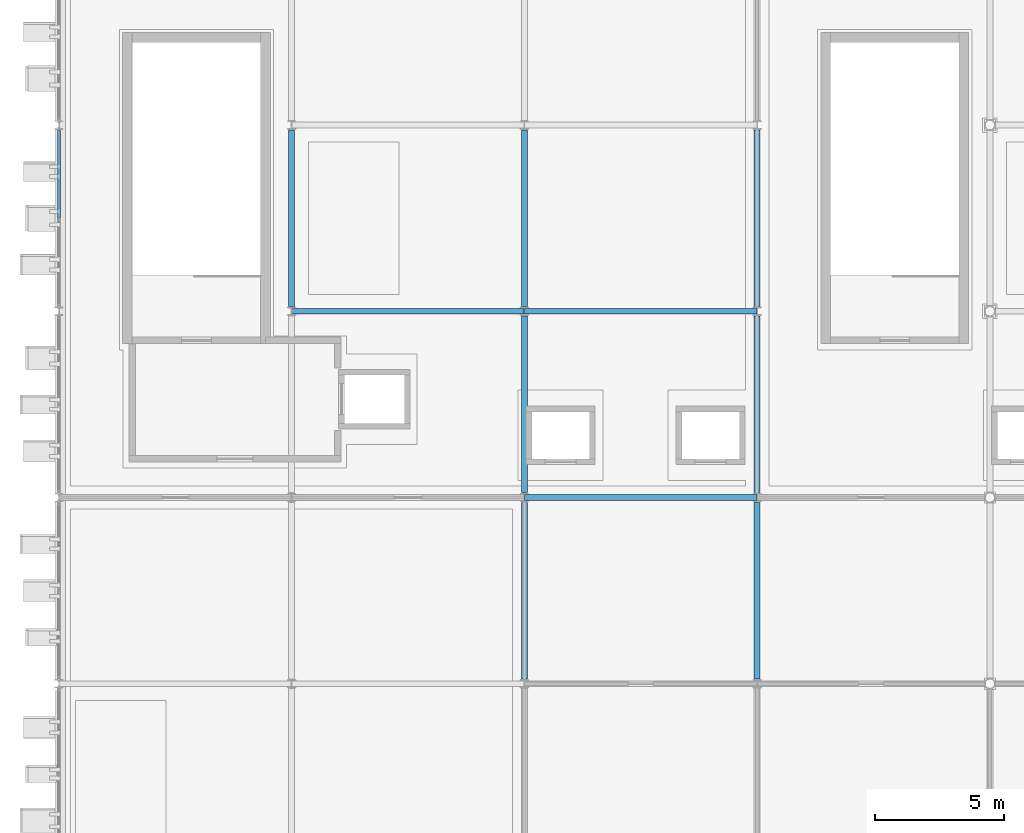
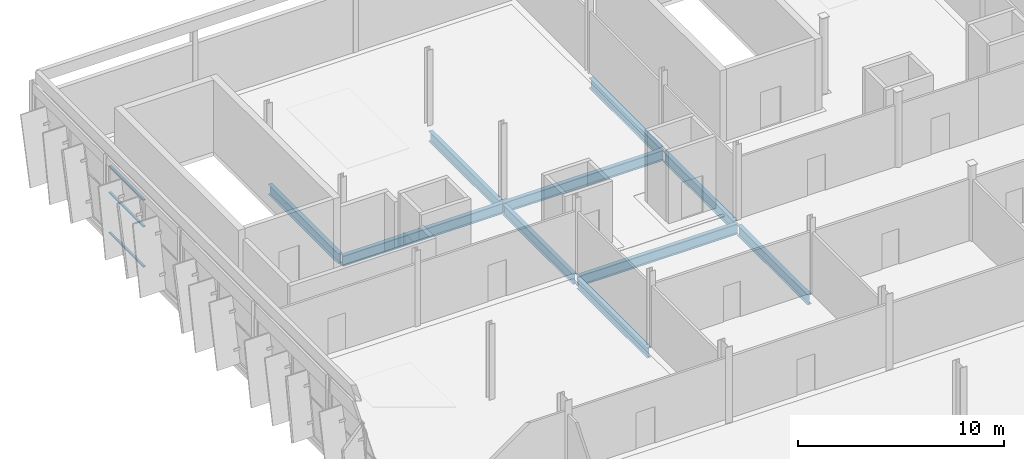
# One storey, part 25 of 52: 10 beams, 3 members, 1 element without a shape of its own.
"""IFC4 building model written with IfcOpenShell, lengths in metres."""

from ifc_helpers import new_model, si_unit, direction, frame, origin, origin_2d, place, context, subcontext, project, spatial, hollow_rectangle, i_section, extrude, material, layer, layer_set, material_profile, profile_set, type_object, element, aggregate, save


model = new_model("IFC4")

# Units and contexts
model_context = context("Model", 3, precision=1e-05, world=origin(), true_north=direction((0.0, 1.0)))
body_context = subcontext(model_context, "Body", "Model", "MODEL_VIEW")
ifc_project = project(units=[si_unit("LENGTHUNIT", "METRE"), si_unit("AREAUNIT", "SQUARE_METRE"), si_unit("VOLUMEUNIT", "CUBIC_METRE"), si_unit("PLANEANGLEUNIT", "RADIAN"), si_unit("MASSUNIT", "GRAM", prefix="KILO")], contexts=[model_context])

# Site, building, storey
site_placement = place(None, origin())
site = spatial("IfcSite", under=ifc_project, at=site_placement, CompositionType="ELEMENT")
building_placement = place(site_placement, origin())
building = spatial("IfcBuilding", under=site, at=building_placement, Name="Celestram Park Convention Centre", CompositionType="ELEMENT")
storey_placement = place(building_placement, frame((0.0, 0.0, 24.300048828125)))
storey = spatial("IfcBuildingStorey", under=building, at=storey_placement, Name="L05", CompositionType="ELEMENT", Elevation=24.300048828125)

# Curtain wall, members
ifc_material_1 = material(Name="Anodised Aluminium Alloy 6063-T6", Category="aluminium")
ifc_layer = layer(ifc_material_1, 0.179931640625)
ifc_layer_set = layer_set([ifc_layer], Name="Anodised Aluminium Alloy 6063-T6")
curtain_wall_type = type_object("IfcCurtainWallType", Name="ARC-CW-690X401", PredefinedType="NOTDEFINED", material=ifc_layer_set)
curtain_wall_placement = place(storey_placement, origin())
curtain_wall = element("IfcCurtainWall", 1, at=curtain_wall_placement, inside=storey, type_object=curtain_wall_type, Name="Unitised curtain wall CU-L05-249", PredefinedType="NOTDEFINED")
ifc_material_profile_1 = material_profile(ifc_material_1, hollow_rectangle(XDim=0.1201171875, YDim=0.06005859375, WallThickness=0.0029296875, at=origin_2d()), Name="ALU120X60X3")
ifc_profile_set_1 = profile_set([ifc_material_profile_1], Name="Anodised Aluminium Alloy 6063-T6")
member_type = type_object("IfcMemberType", Name="ARC-CWT-120", PredefinedType="USERDEFINED", material=ifc_profile_set_1)
member_1_placement = place(storey_placement, frame((36.0, 154.83251953125, 0.030029296875), z_axis=(0.0, 1.0, 0.0), x_axis=(-1.0, 0.0, 0.0)))
member_1 = element("IfcMember", 2, at=member_1_placement, type_object=member_type, Name="CW-69X40 transom 2.1", ObjectType="TRANSOM", PredefinedType="USERDEFINED", context=body_context, shape_type="SweptSolid", body=[
    extrude(hollow_rectangle(XDim=0.1201171875, YDim=0.06005859375, WallThickness=0.0029296875, at=origin_2d()), origin(), (0.0, 0.0, 1.0), 3.35107421875),
])
member_2_placement = place(storey_placement, frame((36.0, 154.83251953125, 2.406005859375), z_axis=(0.0, 1.0, 0.0), x_axis=(-1.0, 0.0, 0.0)))
member_2 = element("IfcMember", 3, at=member_2_placement, type_object=member_type, Name="CW-69X40 transom 2.2", ObjectType="TRANSOM", PredefinedType="USERDEFINED", context=body_context, shape_type="SweptSolid", body=[
    extrude(hollow_rectangle(XDim=0.1201171875, YDim=0.06005859375, WallThickness=0.0029296875, at=origin_2d()), origin(), (0.0, 0.0, 1.0), 3.35107421875),
])
member_3_placement = place(storey_placement, frame((36.0, 154.83251953125, 3.97998046875), z_axis=(0.0, 1.0, 0.0), x_axis=(-1.0, 0.0, 0.0)))
member_3 = element("IfcMember", 4, at=member_3_placement, type_object=member_type, Name="CW-69X40 transom 2.3", ObjectType="TRANSOM", PredefinedType="USERDEFINED", context=body_context, shape_type="SweptSolid", body=[
    extrude(hollow_rectangle(XDim=0.1201171875, YDim=0.06005859375, WallThickness=0.0029296875, at=origin_2d()), origin(), (0.0, 0.0, 1.0), 3.35107421875),
])
aggregate(curtain_wall, [member_1, member_2, member_3])

# Beams
ifc_material_2 = material(Name="Steel ASTM A992 Grade 50", Category="steel")
ifc_material_profile_2 = material_profile(ifc_material_2, i_section(OverallWidth=0.22900390625, OverallDepth=0.612060546875, WebThickness=0.011962890625, FlangeThickness=0.01953125, at=origin_2d()), Name="W24X84")
ifc_profile_set_2 = profile_set([ifc_material_profile_2], Name="Steel ASTM A992 Grade 50")
beam_type = type_object("IfcBeamType", Name="STR-BM-W24X84", PredefinedType="BEAM", material=ifc_profile_set_2)
beam_1_placement = place(storey_placement, frame((45.006103515625, 151.199951171875, -0.546142578125), z_axis=(1.0, 0.0, 0.0), x_axis=(0.0, 1.0, 0.0)))
element("IfcBeam", 5, at=beam_1_placement, inside=storey, type_object=beam_type, Name="Primary X-girder BG-L05-0026", PredefinedType="BEAM", context=body_context, shape_type="SweptSolid", body=[
    extrude(i_section(OverallWidth=0.22900390625, OverallDepth=0.612060546875, WebThickness=0.011962890625, FlangeThickness=0.01953125, at=origin_2d()), origin(), (0.0, 0.0, 1.0), 8.98779296875),
])
beam_2_placement = place(storey_placement, frame((45.0, 151.384521484375, -0.546142578125), z_axis=(0.0, 1.0, 0.0), x_axis=(-1.0, 0.0, 0.0)))
element("IfcBeam", 6, at=beam_2_placement, inside=storey, type_object=beam_type, Name="Primary Y-girder BG-L05-0027", PredefinedType="BEAM", context=body_context, shape_type="SweptSolid", body=[
    extrude(i_section(OverallWidth=0.22900390625, OverallDepth=0.612060546875, WebThickness=0.011962890625, FlangeThickness=0.01953125, at=origin_2d()), origin(), (0.0, 0.0, 1.0), 6.8310546875),
])
beam_3_placement = place(storey_placement, frame((54.0, 136.984619140625, -0.546142578125), z_axis=(0.0, 1.0, 0.0), x_axis=(-1.0, 0.0, 0.0)))
element("IfcBeam", 7, at=beam_3_placement, inside=storey, type_object=beam_type, Name="Primary Y-girder BG-L05-0037", PredefinedType="BEAM", context=body_context, shape_type="SweptSolid", body=[
    extrude(i_section(OverallWidth=0.22900390625, OverallDepth=0.612060546875, WebThickness=0.011962890625, FlangeThickness=0.01953125, at=origin_2d()), origin(), (0.0, 0.0, 1.0), 6.830810546875),
])
beam_4_placement = place(storey_placement, frame((54.006103515625, 144.0, -0.546142578125), z_axis=(1.0, 0.0, 0.0), x_axis=(0.0, 1.0, 0.0)))
element("IfcBeam", 8, at=beam_4_placement, inside=storey, type_object=beam_type, Name="Primary X-girder BG-L05-0038", PredefinedType="BEAM", context=body_context, shape_type="SweptSolid", body=[
    extrude(i_section(OverallWidth=0.22900390625, OverallDepth=0.612060546875, WebThickness=0.011962890625, FlangeThickness=0.01953125, at=origin_2d()), origin(), (0.0, 0.0, 1.0), 8.98779296875),
])
beam_5_placement = place(storey_placement, frame((54.0, 144.1845703125, -0.546142578125), z_axis=(0.0, 1.0, 0.0), x_axis=(-1.0, 0.0, 0.0)))
element("IfcBeam", 9, at=beam_5_placement, inside=storey, type_object=beam_type, Name="Primary Y-girder BG-L05-0039", PredefinedType="BEAM", context=body_context, shape_type="SweptSolid", body=[
    extrude(i_section(OverallWidth=0.22900390625, OverallDepth=0.612060546875, WebThickness=0.011962890625, FlangeThickness=0.01953125, at=origin_2d()), origin(), (0.0, 0.0, 1.0), 6.830810546875),
])
beam_6_placement = place(storey_placement, frame((54.006103515625, 151.199951171875, -0.546142578125), z_axis=(1.0, 0.0, 0.0), x_axis=(0.0, 1.0, 0.0)))
element("IfcBeam", 10, at=beam_6_placement, inside=storey, type_object=beam_type, Name="Primary X-girder BG-L05-0040", PredefinedType="BEAM", context=body_context, shape_type="SweptSolid", body=[
    extrude(i_section(OverallWidth=0.22900390625, OverallDepth=0.612060546875, WebThickness=0.011962890625, FlangeThickness=0.01953125, at=origin_2d()), origin(), (0.0, 0.0, 1.0), 8.98779296875),
])
beam_7_placement = place(storey_placement, frame((54.0, 151.384521484375, -0.546142578125), z_axis=(0.0, 1.0, 0.0), x_axis=(-1.0, 0.0, 0.0)))
element("IfcBeam", 11, at=beam_7_placement, inside=storey, type_object=beam_type, Name="Primary Y-girder BG-L05-0041", PredefinedType="BEAM", context=body_context, shape_type="SweptSolid", body=[
    extrude(i_section(OverallWidth=0.22900390625, OverallDepth=0.612060546875, WebThickness=0.011962890625, FlangeThickness=0.01953125, at=origin_2d()), origin(), (0.0, 0.0, 1.0), 6.8310546875),
])
for number, where, z_axis, x_axis, name in (
    (12, (63.0, 136.984619140625, -0.546142578125), (0.0, 1.0, 0.0), (-1.0, 0.0, 0.0), "Primary Y-girder BG-L05-0051"),
    (13, (63.0, 144.1845703125, -0.546142578125), (0.0, 1.0, 0.0), (-1.0, 0.0, 0.0), "Primary Y-girder BG-L05-0053"),
):
    element("IfcBeam", number, at=place(storey_placement, frame(where, z_axis=z_axis, x_axis=x_axis)), inside=storey, type_object=beam_type, Name=name, PredefinedType="BEAM", context=body_context, shape_type="SweptSolid", body=[
        extrude(i_section(OverallWidth=0.22900390625, OverallDepth=0.612060546875, WebThickness=0.011962890625, FlangeThickness=0.01953125, at=origin_2d()), origin(), (0.0, 0.0, 1.0), 6.830810546875),
    ])
beam_8_placement = place(storey_placement, frame((63.0, 151.384521484375, -0.546142578125), z_axis=(0.0, 1.0, 0.0), x_axis=(-1.0, 0.0, 0.0)))
element("IfcBeam", 14, at=beam_8_placement, inside=storey, type_object=beam_type, Name="Primary Y-girder BG-L05-0054", PredefinedType="BEAM", context=body_context, shape_type="SweptSolid", body=[
    extrude(i_section(OverallWidth=0.22900390625, OverallDepth=0.612060546875, WebThickness=0.011962890625, FlangeThickness=0.01953125, at=origin_2d()), origin(), (0.0, 0.0, 1.0), 6.8310546875),
])

save(model, "model.ifc")
